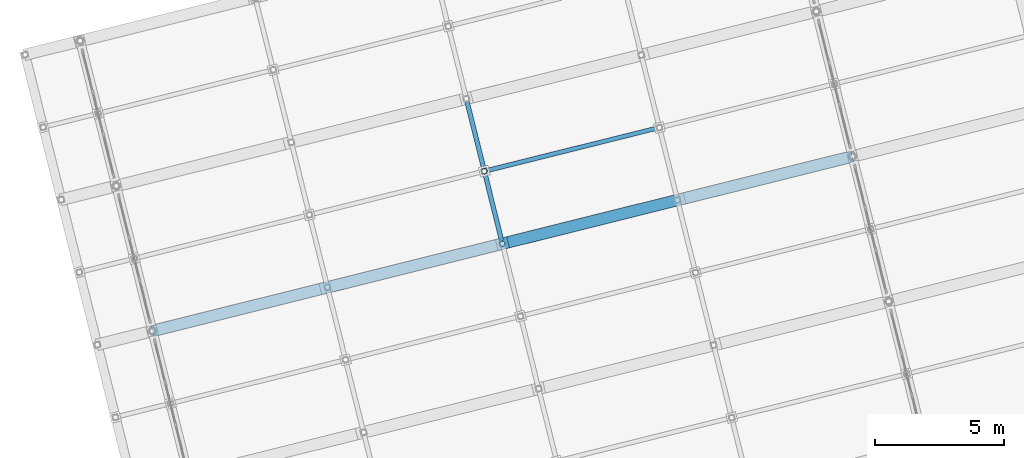
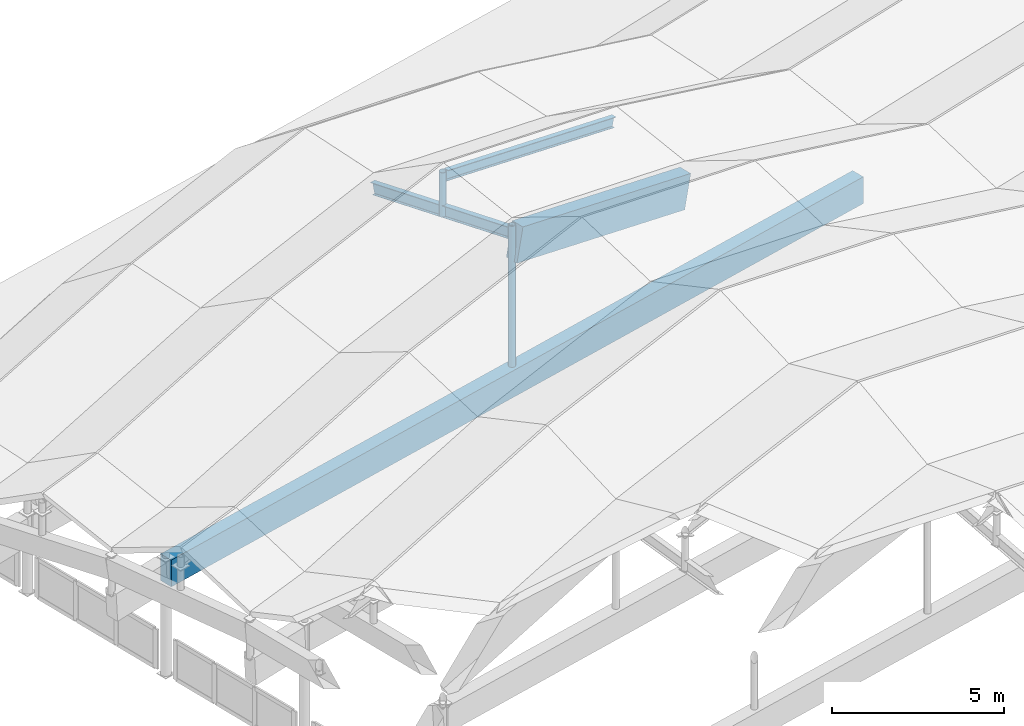
# One storey, part 29 of 65: 4 beams, 2 members.
"""IFC4 building model written with IfcOpenShell, lengths in metres."""

from ifc_helpers import new_model, si_unit, direction, frame, origin, origin_2d, place, context, subcontext, project, spatial, rectangle, hollow_circle, i_section, extrude, material, material_profile, profile_set, type_object, element, save


model = new_model("IFC4")

# Units and contexts
model_context = context("Model", 3, precision=1e-05, world=origin(), true_north=direction((0.0, 1.0)))
body_context = subcontext(model_context, "Body", "Model", "MODEL_VIEW")
ifc_project = project(units=[si_unit("LENGTHUNIT", "METRE"), si_unit("AREAUNIT", "SQUARE_METRE"), si_unit("VOLUMEUNIT", "CUBIC_METRE"), si_unit("PLANEANGLEUNIT", "RADIAN"), si_unit("MASSUNIT", "GRAM", prefix="KILO")], contexts=[model_context])

# Site, building, storey
site_placement = place(None, origin())
site = spatial("IfcSite", under=ifc_project, at=site_placement, CompositionType="ELEMENT")
building_placement = place(site_placement, origin())
building = spatial("IfcBuilding", under=site, at=building_placement, Name="Cinderway Yard Community Centre", CompositionType="ELEMENT")
storey_placement = place(building_placement, frame((0.0, 0.0, 24.300048828125)))
storey = spatial("IfcBuildingStorey", under=building, at=storey_placement, Name="RF", CompositionType="ELEMENT", Elevation=24.300048828125)

# Beams
ifc_material_1 = material(Name="Concrete C40/50", Category="concrete")
ifc_material_profile_1 = material_profile(ifc_material_1, rectangle(XDim=0.449951171875, YDim=1.199951171875, at=origin_2d()), Name="Concrete C40/50")
ifc_profile_set_1 = profile_set([ifc_material_profile_1], Name="Concrete C40/50")
beam_type_1 = type_object("IfcBeamType", Name="STR-BM-RC450X1200", PredefinedType="BEAM", material=ifc_profile_set_1)
beam_1_placement = place(storey_placement, frame((26.47998046875, 56.66796875, -2.927001953125), z_axis=(0.950317734417, 0.236866299118, -0.20196672992), x_axis=(-0.241850256561, 0.970313585086, 0.0)))
element("IfcBeam", 1, at=beam_1_placement, inside=storey, type_object=beam_type_1, Name="Main Hall arch rib segment 06.3", PredefinedType="BEAM", context=body_context, shape_type="SweptSolid", body=[
    extrude(rectangle(XDim=0.449951171875, YDim=1.199951171875, at=origin_2d()), origin(), (0.0, 0.0, 1.0), 6.9326171875),
])
ifc_material_profile_2 = material_profile(ifc_material_1, rectangle(XDim=0.449951171875, YDim=0.949951171875, at=origin_2d()), Name="Concrete C40/50")
ifc_profile_set_2 = profile_set([ifc_material_profile_2], Name="Concrete C40/50")
beam_type_2 = type_object("IfcBeamType", Name="STR-BM-RC450X950", PredefinedType="BEAM", material=ifc_profile_set_2)
beam_2_placement = place(storey_placement, frame((12.7939453125, 53.2548828125, -7.73193359375), z_axis=(0.970292083272, 0.241936506421, 0.0), x_axis=(-0.241936506421, 0.970292083272, 0.0)))
element("IfcBeam", 2, at=beam_2_placement, inside=storey, type_object=beam_type_2, Name="Main Hall folded-plate arch tie girder 06", PredefinedType="BEAM", context=body_context, shape_type="SweptSolid", body=[
    extrude(rectangle(XDim=0.449951171875, YDim=0.949951171875, at=origin_2d()), origin(), (0.0, 0.0, 1.0), 27.999755859375),
])
ifc_material_2 = material(Name="Steel S355", Category="steel")
ifc_material_profile_3 = material_profile(ifc_material_2, i_section(OverallWidth=0.172119140625, OverallDepth=0.35791015625, WebThickness=0.0078125, FlangeThickness=0.01318359375, FilletRadius=0.010986328125, at=origin_2d()), Name="Steel S355")
ifc_profile_set_3 = profile_set([ifc_material_profile_3], Name="Steel S355")
beam_type_3 = type_object("IfcBeamType", Name="STR-BM-W360X57", PredefinedType="JOIST", material=ifc_profile_set_3)
beam_3_placement = place(storey_placement, frame((25.778076171875, 59.48193359375, -1.9970703125), z_axis=(0.950321081007, 0.236875911312, -0.201939707919), x_axis=(-0.241858695017, 0.970311481765, 0.0)))
element("IfcBeam", 3, at=beam_3_placement, inside=storey, type_object=beam_type_3, Name="Folded-plate ridge beam B6.4", PredefinedType="JOIST", context=body_context, shape_type="SweptSolid", body=[
    extrude(i_section(OverallWidth=0.172119140625, OverallDepth=0.35791015625, WebThickness=0.0078125, FlangeThickness=0.01318359375, FilletRadius=0.010986328125, at=origin_2d()), origin(), (0.0, 0.0, 1.0), 6.932373046875),
])
ifc_material_profile_4 = material_profile(ifc_material_2, i_section(OverallWidth=0.178955078125, OverallDepth=0.409912109375, WebThickness=0.0087890625, FlangeThickness=0.013427734375, FilletRadius=0.011962890625, at=origin_2d()), Name="Steel S355")
ifc_profile_set_4 = profile_set([ifc_material_profile_4], Name="Steel S355")
beam_type_4 = type_object("IfcBeamType", Name="STR-BM-W410X67", PredefinedType="JOIST", material=ifc_profile_set_4)
beam_4_placement = place(storey_placement, frame((26.3779296875, 56.64208984375, -2.531982421875), z_axis=(-0.235751639953, 0.945796520047, -0.223360934198), x_axis=(-0.970310635396, -0.241862090534, 0.0)))
element("IfcBeam", 4, at=beam_4_placement, inside=storey, type_object=beam_type_4, Name="Folded-plate valley beam B6-U14", PredefinedType="JOIST", context=body_context, shape_type="SweptSolid", body=[
    extrude(i_section(OverallWidth=0.178955078125, OverallDepth=0.409912109375, WebThickness=0.0087890625, FlangeThickness=0.013427734375, FilletRadius=0.011962890625, at=origin_2d()), origin(), (0.0, 0.0, 1.0), 5.950439453125),
])

# Members
ifc_material_profile_5 = material_profile(ifc_material_2, hollow_circle(Radius=0.109619140625, WallThickness=0.010009765625, at=origin_2d()), Name="Steel S355")
ifc_profile_set_5 = profile_set([ifc_material_profile_5], Name="Steel S355")
member_type = type_object("IfcMemberType", Name="STR-MEM-STRUT-CHS219", PredefinedType="STRUT", material=ifc_profile_set_5)
member_1_placement = place(storey_placement, frame((26.3779296875, 56.64208984375, -7.35693359375), z_axis=(0.0, 0.0, 1.0), x_axis=(1.0, 0.0, 0.0)))
element("IfcMember", 5, at=member_1_placement, inside=storey, type_object=member_type, Name="Arch rib web post 06-14", PredefinedType="STRUT", context=body_context, shape_type="SweptSolid", body=[
    extrude(hollow_circle(Radius=0.109619140625, WallThickness=0.010009765625, at=origin_2d()), origin(), (0.0, 0.0, 1.0), 5.10986328125),
])
member_2_placement = place(storey_placement, frame((25.676025390625, 59.4560546875, -3.39208984375), z_axis=(0.0, 0.0, 1.0), x_axis=(1.0, 0.0, 0.0)))
element("IfcMember", 6, at=member_2_placement, inside=storey, type_object=member_type, Name="Folded-plate ridge kingpost B6-U14", PredefinedType="STRUT", context=body_context, shape_type="SweptSolid", body=[
    extrude(hollow_circle(Radius=0.109619140625, WallThickness=0.010009765625, at=origin_2d()), origin(), (0.0, 0.0, 1.0), 1.583984375),
])

save(model, "model.ifc")
